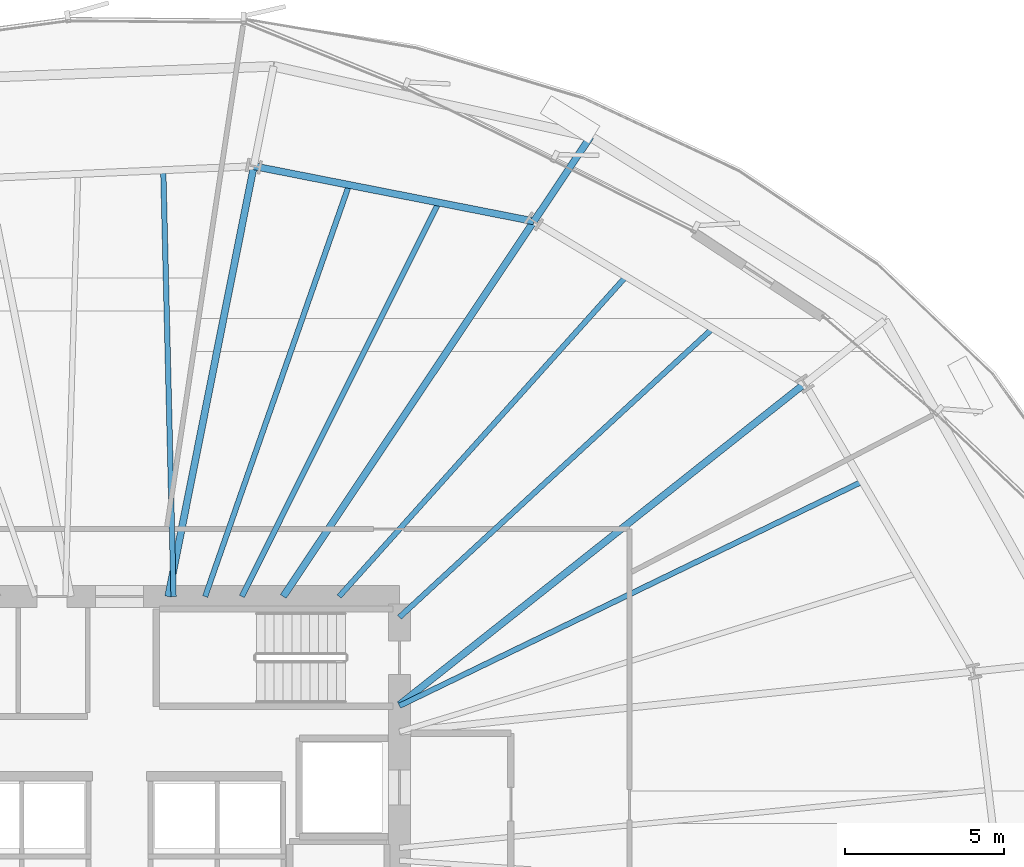
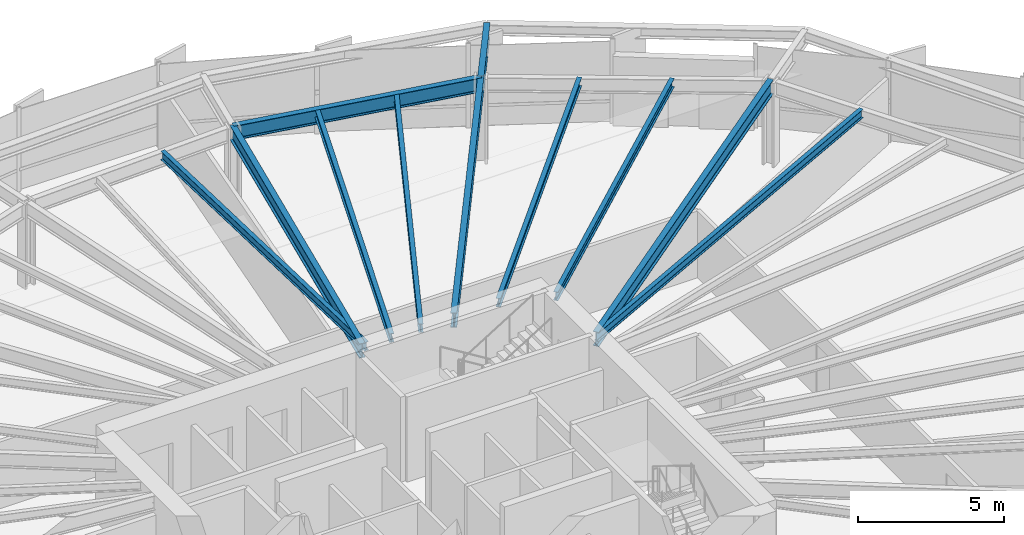
# One storey, part 23 of 39: 11 beams.
"""IFC4 building model written with IfcOpenShell, lengths in metres."""

from ifc_helpers import new_model, si_unit, direction, frame, origin, origin_2d, place, context, subcontext, project, spatial, i_section, extrude, source, transform, mapped, material, material_profile, profile_set, type_object, element, save


model = new_model("IFC4")

# Units and contexts
model_context = context("Model", 3, precision=1e-05, world=origin(), true_north=direction((0.0, 1.0)))
body_context = subcontext(model_context, "Body", "Model", "MODEL_VIEW")
ifc_project = project(units=[si_unit("LENGTHUNIT", "METRE"), si_unit("AREAUNIT", "SQUARE_METRE"), si_unit("VOLUMEUNIT", "CUBIC_METRE"), si_unit("PLANEANGLEUNIT", "RADIAN"), si_unit("MASSUNIT", "GRAM", prefix="KILO"), si_unit("THERMODYNAMICTEMPERATUREUNIT", "KELVIN")], contexts=[model_context])

# Site, building, storey
site_placement = place(None, origin())
site = spatial("IfcSite", under=ifc_project, at=site_placement, CompositionType="ELEMENT")
building_placement = place(site_placement, origin())
building = spatial("IfcBuilding", under=site, at=building_placement, Name="Kethvar Cultural Tower", CompositionType="ELEMENT")
storey_placement = place(building_placement, frame((0.0, 0.0, 44.800048828125)))
storey = spatial("IfcBuildingStorey", under=building, at=storey_placement, Name="L10", CompositionType="ELEMENT", Elevation=44.800048828125)

# Beams
ifc_material = material(Name="Steel S355J2", Category="steel")
ifc_material_profile_1 = material_profile(ifc_material, i_section(OverallWidth=0.219970703125, OverallDepth=0.60009765625, WebThickness=0.011962890625, FlangeThickness=0.01904296875, FilletRadius=0.02392578125, at=origin_2d()), Name="Steel S355J2 — IPE600")
ifc_profile_set_1 = profile_set([ifc_material_profile_1], Name="Steel S355J2 — IPE600")
beam_type_1 = type_object("IfcBeamType", Name="BM-IPE600", PredefinedType="BEAM", material=ifc_profile_set_1)
shared_shape_1 = source(origin(), body_context, "Body", "SweptSolid", [
    extrude(i_section(OverallWidth=0.219970703125, OverallDepth=0.60009765625, WebThickness=0.011962890625, FlangeThickness=0.01904296875, FilletRadius=0.02392578125, at=origin_2d()), origin(), (0.0, 0.0, 1.0), 16.248779296875),
])
beam_1_placement = place(storey_placement, frame((55.60009765625, 32.10009765625, 3.248046875), z_axis=(0.783831288624, 0.620973840813, 0.0), x_axis=(-0.620973840813, 0.783831288624, 0.0)))
element("IfcBeam", 1, at=beam_1_placement, inside=storey, type_object=beam_type_1, Name="L10 Primary Radial Beam RB-02", PredefinedType="BEAM", context=body_context, shape_type="MappedRepresentation", body=[
    mapped(shared_shape_1, transform((0.0, 0.0, 0.0), scale=1.0)),
])
shared_shape_2 = source(origin(), body_context, "Body", "SweptSolid", [
    extrude(i_section(OverallWidth=0.219970703125, OverallDepth=0.60009765625, WebThickness=0.011962890625, FlangeThickness=0.01904296875, FilletRadius=0.02392578125, at=origin_2d()), origin(), (0.0, 0.0, 1.0), 14.18359375),
])
beam_2_placement = place(storey_placement, frame((51.945068359375, 35.5, 3.248046875), z_axis=(0.55556584065, 0.831472547174, 0.0), x_axis=(-0.831472547174, 0.55556584065, 0.0)))
element("IfcBeam", 2, at=beam_2_placement, inside=storey, type_object=beam_type_1, Name="L10 Primary Radial Beam RB-03", PredefinedType="BEAM", context=body_context, shape_type="MappedRepresentation", body=[
    mapped(shared_shape_2, transform((0.0, 0.0, 0.0), scale=1.0)),
])
shared_shape_3 = source(origin(), body_context, "Body", "SweptSolid", [
    extrude(i_section(OverallWidth=0.219970703125, OverallDepth=0.60009765625, WebThickness=0.011962890625, FlangeThickness=0.01904296875, FilletRadius=0.02392578125, at=origin_2d()), origin(), (0.0, 0.0, 1.0), 3.2001953125),
])
beam_3_placement = place(storey_placement, frame((59.824951171875, 47.293212890625, 3.248046875), z_axis=(0.555544970406, 0.831486491686, 0.0), x_axis=(-0.831486491686, 0.555544970406, 0.0)))
element("IfcBeam", 3, at=beam_3_placement, inside=storey, type_object=beam_type_1, Name="L10 Perimeter Cantilever Beam RC-03", PredefinedType="BEAM", context=body_context, shape_type="MappedRepresentation", body=[
    mapped(shared_shape_3, transform((0.0, 0.0, 0.0), scale=1.0)),
])
shared_shape_4 = source(origin(), body_context, "Body", "SweptSolid", [
    extrude(i_section(OverallWidth=0.219970703125, OverallDepth=0.60009765625, WebThickness=0.011962890625, FlangeThickness=0.01904296875, FilletRadius=0.02392578125, at=origin_2d()), origin(), (0.0, 0.0, 1.0), 13.791015625),
])
beam_4_placement = place(storey_placement, frame((48.33154296875, 35.5, 3.248046875), z_axis=(0.195104916429, 0.980782377281, 0.0), x_axis=(-0.980782377281, 0.195104916429, 0.0)))
element("IfcBeam", 4, at=beam_4_placement, inside=storey, type_object=beam_type_1, Name="L10 Primary Radial Beam RB-04", PredefinedType="BEAM", context=body_context, shape_type="MappedRepresentation", body=[
    mapped(shared_shape_4, transform((0.0, 0.0, 0.0), scale=1.0)),
])
ifc_material_profile_2 = material_profile(ifc_material, i_section(OverallWidth=0.169921875, OverallDepth=0.360107421875, WebThickness=0.008056640625, FlangeThickness=0.0126953125, FilletRadius=0.01806640625, at=origin_2d()), Name="Steel S355J2 — IPE360")
ifc_profile_set_2 = profile_set([ifc_material_profile_2], Name="Steel S355J2 — IPE360")
beam_type_2 = type_object("IfcBeamType", Name="BM-J360", PredefinedType="JOIST", material=ifc_profile_set_2)
shared_shape_5 = source(origin(), body_context, "Body", "SweptSolid", [
    extrude(i_section(OverallWidth=0.169921875, OverallDepth=0.360107421875, WebThickness=0.008056640625, FlangeThickness=0.0126953125, FilletRadius=0.01806640625, at=origin_2d()), origin(), (0.0, 0.0, 1.0), 16.163330078125),
])
beam_5_placement = place(storey_placement, frame((55.60009765625, 32.064697265625, 3.367919921875), z_axis=(0.899890099721, 0.436116737151, 0.0), x_axis=(-0.436116737151, 0.899890099721, 0.0)))
element("IfcBeam", 5, at=beam_5_placement, inside=storey, type_object=beam_type_2, Name="L10 Composite Floor Joist J-01B", PredefinedType="JOIST", context=body_context, shape_type="MappedRepresentation", body=[
    mapped(shared_shape_5, transform((0.0, 0.0, 0.0), scale=1.0)),
])
shared_shape_6 = source(origin(), body_context, "Body", "SweptSolid", [
    extrude(i_section(OverallWidth=0.169921875, OverallDepth=0.360107421875, WebThickness=0.008056640625, FlangeThickness=0.0126953125, FilletRadius=0.01806640625, at=origin_2d()), origin(), (0.0, 0.0, 1.0), 13.3876953125),
])
beam_6_placement = place(storey_placement, frame((55.60009765625, 34.85009765625, 3.367919921875), z_axis=(0.735175283276, 0.677877055859, 0.0), x_axis=(-0.677877055859, 0.735175283276, 0.0)))
element("IfcBeam", 6, at=beam_6_placement, inside=storey, type_object=beam_type_2, Name="L10 Composite Floor Joist J-02A", PredefinedType="JOIST", context=body_context, shape_type="MappedRepresentation", body=[
    mapped(shared_shape_6, transform((0.0, 0.0, 0.0), scale=1.0)),
])
shared_shape_7 = source(origin(), body_context, "Body", "SweptSolid", [
    extrude(i_section(OverallWidth=0.169921875, OverallDepth=0.360107421875, WebThickness=0.008056640625, FlangeThickness=0.0126953125, FilletRadius=0.01806640625, at=origin_2d()), origin(), (0.0, 0.0, 1.0), 13.508056640625),
])
beam_7_placement = place(storey_placement, frame((53.702392578125, 35.5, 3.367919921875), z_axis=(0.667503553274, 0.744606611821, 0.0), x_axis=(-0.744606611821, 0.667503553274, 0.0)))
element("IfcBeam", 7, at=beam_7_placement, inside=storey, type_object=beam_type_2, Name="L10 Composite Floor Joist J-02B", PredefinedType="JOIST", context=body_context, shape_type="MappedRepresentation", body=[
    mapped(shared_shape_7, transform((0.0, 0.0, 0.0), scale=1.0)),
])
shared_shape_8 = source(origin(), body_context, "Body", "SweptSolid", [
    extrude(i_section(OverallWidth=0.219970703125, OverallDepth=0.60009765625, WebThickness=0.011962890625, FlangeThickness=0.01904296875, FilletRadius=0.02392578125, at=origin_2d()), origin(), (0.0, 0.0, 1.0), 8.9716796875),
])
beam_8_placement = place(storey_placement, frame((59.824951171875, 47.293212890625, 3.248046875), z_axis=(-0.981173751046, 0.193127083181, 0.0), x_axis=(-0.193127083181, -0.981173751046, 0.0)))
element("IfcBeam", 8, at=beam_8_placement, inside=storey, type_object=beam_type_1, Name="L10 Column Ring Tie Beam CR-03", PredefinedType="BEAM", context=body_context, shape_type="MappedRepresentation", body=[
    mapped(shared_shape_8, transform((0.0, 0.0, 0.0), scale=1.0)),
])
shared_shape_9 = source(origin(), body_context, "Body", "SweptSolid", [
    extrude(i_section(OverallWidth=0.169921875, OverallDepth=0.360107421875, WebThickness=0.008056640625, FlangeThickness=0.0126953125, FilletRadius=0.01806640625, at=origin_2d()), origin(), (0.0, 0.0, 1.0), 13.84130859375),
])
beam_9_placement = place(storey_placement, frame((50.646484375, 35.5, 3.367919921875), z_axis=(0.446889017672, 0.894589406311, 0.0), x_axis=(-0.894589406311, 0.446889017672, 0.0)))
element("IfcBeam", 9, at=beam_9_placement, inside=storey, type_object=beam_type_2, Name="L10 Composite Floor Joist J-03A", PredefinedType="JOIST", context=body_context, shape_type="MappedRepresentation", body=[
    mapped(shared_shape_9, transform((0.0, 0.0, 0.0), scale=1.0)),
])
shared_shape_10 = source(origin(), body_context, "Body", "SweptSolid", [
    extrude(i_section(OverallWidth=0.169921875, OverallDepth=0.360107421875, WebThickness=0.008056640625, FlangeThickness=0.0126953125, FilletRadius=0.01806640625, at=origin_2d()), origin(), (0.0, 0.0, 1.0), 13.70458984375),
])
beam_10_placement = place(storey_placement, frame((49.4921875, 35.5, 3.367919921875), z_axis=(0.330030618422, 0.943970227764, 0.0), x_axis=(-0.943970227764, 0.330030618422, 0.0)))
element("IfcBeam", 10, at=beam_10_placement, inside=storey, type_object=beam_type_2, Name="L10 Composite Floor Joist J-03B", PredefinedType="JOIST", context=body_context, shape_type="MappedRepresentation", body=[
    mapped(shared_shape_10, transform((0.0, 0.0, 0.0), scale=1.0)),
])
shared_shape_11 = source(origin(), body_context, "Body", "SweptSolid", [
    extrude(i_section(OverallWidth=0.169921875, OverallDepth=0.360107421875, WebThickness=0.008056640625, FlangeThickness=0.0126953125, FilletRadius=0.01806640625, at=origin_2d()), origin(), (0.0, 0.0, 1.0), 13.40380859375),
])
beam_11_placement = place(storey_placement, frame((48.5, 35.5, 3.367919921875), z_axis=(-0.024170322554, 0.999707855079, 0.0), x_axis=(-0.999707855079, -0.024170322554, 0.0)))
element("IfcBeam", 11, at=beam_11_placement, inside=storey, type_object=beam_type_2, Name="L10 Composite Floor Joist J-04A", PredefinedType="JOIST", context=body_context, shape_type="MappedRepresentation", body=[
    mapped(shared_shape_11, transform((0.0, 0.0, 0.0), scale=1.0)),
])

save(model, "model.ifc")
